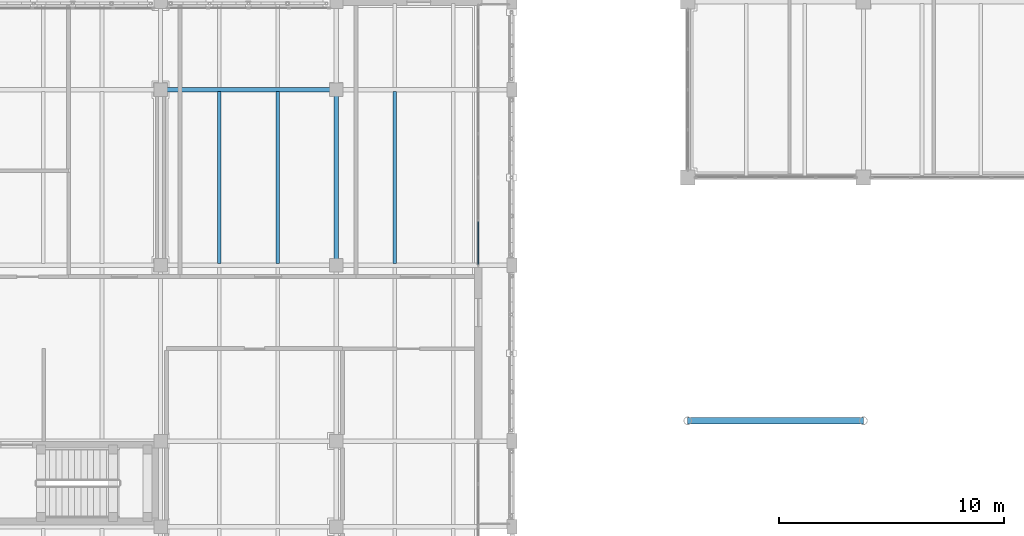
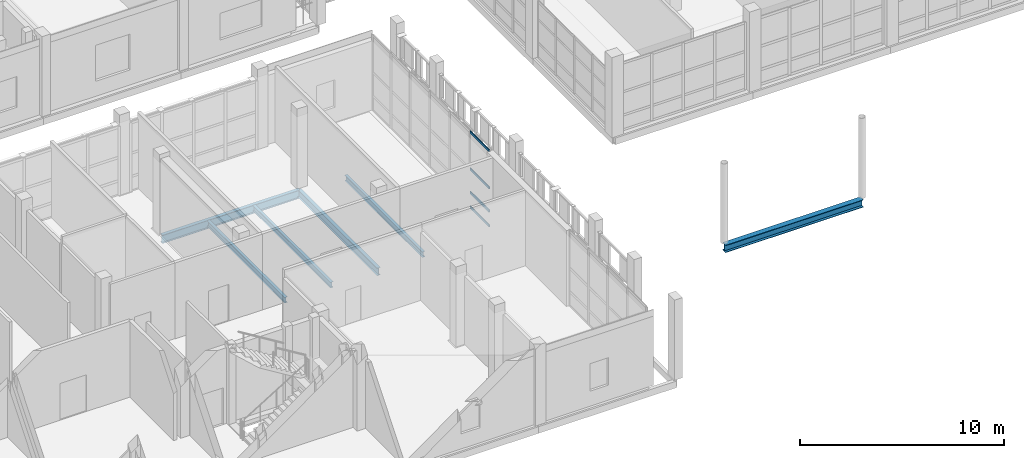
# One storey, part 26 of 138: 6 beams, 4 members, 1 element without a shape of its own.
"""IFC4 building model written with IfcOpenShell, lengths in metres."""

from ifc_helpers import new_model, si_unit, direction, frame, origin, origin_2d, place, context, subcontext, project, spatial, rectangle, i_section, extrude, material, layer, layer_set, material_profile, profile_set, type_object, element, aggregate, save


model = new_model("IFC4")

# Units and contexts
model_context = context("Model", 3, precision=1e-05, world=origin(), true_north=direction((0.0, 1.0)))
body_context = subcontext(model_context, "Body", "Model", "MODEL_VIEW")
ifc_project = project(units=[si_unit("LENGTHUNIT", "METRE"), si_unit("AREAUNIT", "SQUARE_METRE"), si_unit("VOLUMEUNIT", "CUBIC_METRE"), si_unit("PLANEANGLEUNIT", "RADIAN"), si_unit("MASSUNIT", "GRAM", prefix="KILO")], contexts=[model_context])

# Site, building, storey
site_placement = place(None, origin())
site = spatial("IfcSite", under=ifc_project, at=site_placement, CompositionType="ELEMENT")
building_placement = place(site_placement, origin())
building = spatial("IfcBuilding", under=site, at=building_placement, Name="Celorna Specialist Clinic", CompositionType="ELEMENT")
storey_placement = place(building_placement, frame((0.0, 0.0, 4.800048828125)))
storey = spatial("IfcBuildingStorey", under=building, at=storey_placement, Name="L01", CompositionType="ELEMENT", Elevation=4.800048828125)

# Beams
ifc_material_1 = material(Name="Steel S355", Category="steel")
ifc_material_profile_1 = material_profile(ifc_material_1, i_section(OverallWidth=0.300048828125, OverallDepth=0.449951171875, WebThickness=0.013916015625, FlangeThickness=0.02587890625, at=origin_2d()), Name="HE 450 B")
ifc_profile_set_1 = profile_set([ifc_material_profile_1], Name="Steel S355")
beam_type_1 = type_object("IfcBeamType", Name="BM-05", PredefinedType="BEAM", material=ifc_profile_set_1)
beam_1_placement = place(storey_placement, frame((54.60009765625, 8.699951171875, -0.324951171875), z_axis=(1.0, 0.0, 0.0), x_axis=(0.0, 1.0, 0.0)))
element("IfcBeam", 1, at=beam_1_placement, inside=storey, type_object=beam_type_1, Name="Portico lateral tie girder BM-05 #1", PredefinedType="BEAM", context=body_context, shape_type="SweptSolid", body=[
    extrude(i_section(OverallWidth=0.300048828125, OverallDepth=0.449951171875, WebThickness=0.013916015625, FlangeThickness=0.02587890625, at=origin_2d()), origin(), (0.0, 0.0, 1.0), 7.7998046875),
])
ifc_material_profile_2 = material_profile(ifc_material_1, i_section(OverallWidth=0.199951171875, OverallDepth=0.5, WebThickness=0.01025390625, FlangeThickness=0.01611328125, at=origin_2d()), Name="IPE 500")
ifc_profile_set_2 = profile_set([ifc_material_profile_2], Name="Steel S355")
beam_type_2 = type_object("IfcBeamType", Name="BM-08", PredefinedType="BEAM", material=ifc_profile_set_2)
beam_2_placement = place(storey_placement, frame((31.199951171875, 23.39990234375, -0.510009765625), z_axis=(1.0, 0.0, 0.0), x_axis=(0.0, 1.0, 0.0)))
element("IfcBeam", 2, at=beam_2_placement, inside=storey, type_object=beam_type_2, Name="Primary girder BM-08 #1610", PredefinedType="BEAM", context=body_context, shape_type="SweptSolid", body=[
    extrude(i_section(OverallWidth=0.199951171875, OverallDepth=0.5, WebThickness=0.01025390625, FlangeThickness=0.01611328125, at=origin_2d()), origin(), (0.0, 0.0, 1.0), 7.800048828125),
])
ifc_material_profile_3 = material_profile(ifc_material_1, i_section(OverallWidth=0.18994140625, OverallDepth=0.449951171875, WebThickness=0.009521484375, FlangeThickness=0.0146484375, at=origin_2d()), Name="IPE 450")
ifc_profile_set_3 = profile_set([ifc_material_profile_3], Name="Steel S355")
beam_type_3 = type_object("IfcBeamType", Name="BM-09", PredefinedType="BEAM", material=ifc_profile_set_3)
beam_3_placement = place(storey_placement, frame((39.0, 15.60009765625, -0.485107421875), z_axis=(0.0, 1.0, 0.0), x_axis=(-1.0, 0.0, 0.0)))
element("IfcBeam", 3, at=beam_3_placement, inside=storey, type_object=beam_type_3, Name="Transverse girder BM-09 #1646", PredefinedType="BEAM", context=body_context, shape_type="SweptSolid", body=[
    extrude(i_section(OverallWidth=0.18994140625, OverallDepth=0.449951171875, WebThickness=0.009521484375, FlangeThickness=0.0146484375, at=origin_2d()), origin(), (0.0, 0.0, 1.0), 7.7998046875),
])
ifc_material_profile_4 = material_profile(ifc_material_1, i_section(OverallWidth=0.159912109375, OverallDepth=0.330078125, WebThickness=0.007568359375, FlangeThickness=0.011474609375, at=origin_2d()), Name="IPE 330")
ifc_profile_set_4 = profile_set([ifc_material_profile_4], Name="Steel S355")
beam_type_4 = type_object("IfcBeamType", Name="BM-12", PredefinedType="JOIST", material=ifc_profile_set_4)
for number, where, z_axis, x_axis, name in (
    (4, (33.800048828125, 15.68798828125, -0.425048828125), (0.0, 1.0, 0.0), (-1.0, 0.0, 0.0), "Secondary floor joist BM-12 #1690"),
    (5, (36.39990234375, 15.68798828125, -0.425048828125), (0.0, 1.0, 0.0), (-1.0, 0.0, 0.0), "Secondary floor joist BM-12 #1691"),
    (6, (41.60009765625, 15.68798828125, -0.425048828125), (0.0, 1.0, 0.0), (-1.0, 0.0, 0.0), "Secondary floor joist BM-12 #1700"),
):
    element("IfcBeam", number, at=place(storey_placement, frame(where, z_axis=z_axis, x_axis=x_axis)), inside=storey, type_object=beam_type_4, Name=name, PredefinedType="JOIST", context=body_context, shape_type="SweptSolid", body=[
        extrude(i_section(OverallWidth=0.159912109375, OverallDepth=0.330078125, WebThickness=0.007568359375, FlangeThickness=0.011474609375, at=origin_2d()), origin(), (0.0, 0.0, 1.0), 7.6240234375),
    ])

# Curtain wall, members
ifc_material_2 = material(Name="Thermally broken aluminium and solar-control glass curtain wall", Category="aluminium")
ifc_layer = layer(ifc_material_2, 0.159912109375, Name="Thermally broken aluminium and solar-control glass curtain wall")
ifc_layer_set = layer_set([ifc_layer], Name="Thermally broken aluminium and solar-control glass curtain wall")
curtain_wall_type = type_object("IfcCurtainWallType", Name="CW-85", PredefinedType="NOTDEFINED", material=ifc_layer_set)
curtain_wall_placement = place(storey_placement, origin())
curtain_wall = element("IfcCurtainWall", 7, at=curtain_wall_placement, inside=storey, type_object=curtain_wall_type, Name="Curtain wall CW-85 #159", PredefinedType="NOTDEFINED")
ifc_material_3 = material(Name="Anodized aluminium transom", Category="aluminium")
ifc_material_profile_5 = material_profile(ifc_material_3, rectangle(XDim=0.050048828125, YDim=0.14990234375, at=origin_2d()), Name="ALU TRANSOM 50x150")
ifc_profile_set_5 = profile_set([ifc_material_profile_5], Name="Anodized aluminium transom")
member_type = type_object("IfcMemberType", Name="TR-02", PredefinedType="USERDEFINED", material=ifc_profile_set_5)
member_1_placement = place(storey_placement, frame((45.300048828125, 17.527099609375, 0.02490234375), z_axis=(0.0, -1.0, 0.0), x_axis=(1.0, 0.0, 0.0)))
member_1 = element("IfcMember", 8, at=member_1_placement, type_object=member_type, Name="CW-85 transom 4.1", ObjectType="TRANSOM", PredefinedType="USERDEFINED", context=body_context, shape_type="SweptSolid", body=[
    extrude(rectangle(XDim=0.050048828125, YDim=0.14990234375, at=origin_2d()), origin(), (0.0, 0.0, 1.0), 1.873046875),
])
member_2_placement = place(storey_placement, frame((45.300048828125, 17.527099609375, 0.89990234375), z_axis=(0.0, -1.0, 0.0), x_axis=(1.0, 0.0, 0.0)))
member_2 = element("IfcMember", 9, at=member_2_placement, type_object=member_type, Name="CW-85 transom 4.2", ObjectType="TRANSOM", PredefinedType="USERDEFINED", context=body_context, shape_type="SweptSolid", body=[
    extrude(rectangle(XDim=0.050048828125, YDim=0.14990234375, at=origin_2d()), origin(), (0.0, 0.0, 1.0), 1.873046875),
])
member_3_placement = place(storey_placement, frame((45.300048828125, 17.527099609375, 2.300048828125), z_axis=(0.0, -1.0, 0.0), x_axis=(1.0, 0.0, 0.0)))
member_3 = element("IfcMember", 10, at=member_3_placement, type_object=member_type, Name="CW-85 transom 4.3", ObjectType="TRANSOM", PredefinedType="USERDEFINED", context=body_context, shape_type="SweptSolid", body=[
    extrude(rectangle(XDim=0.050048828125, YDim=0.14990234375, at=origin_2d()), origin(), (0.0, 0.0, 1.0), 1.873046875),
])
member_4_placement = place(storey_placement, frame((45.300048828125, 17.527099609375, 4.514892578125), z_axis=(0.0, -1.0, 0.0), x_axis=(1.0, 0.0, 0.0)))
member_4 = element("IfcMember", 11, at=member_4_placement, type_object=member_type, Name="CW-85 transom 4.4", ObjectType="TRANSOM", PredefinedType="USERDEFINED", context=body_context, shape_type="SweptSolid", body=[
    extrude(rectangle(XDim=0.050048828125, YDim=0.14990234375, at=origin_2d()), origin(), (0.0, 0.0, 1.0), 1.873046875),
])
aggregate(curtain_wall, [member_1, member_2, member_3, member_4])

save(model, "model.ifc")
